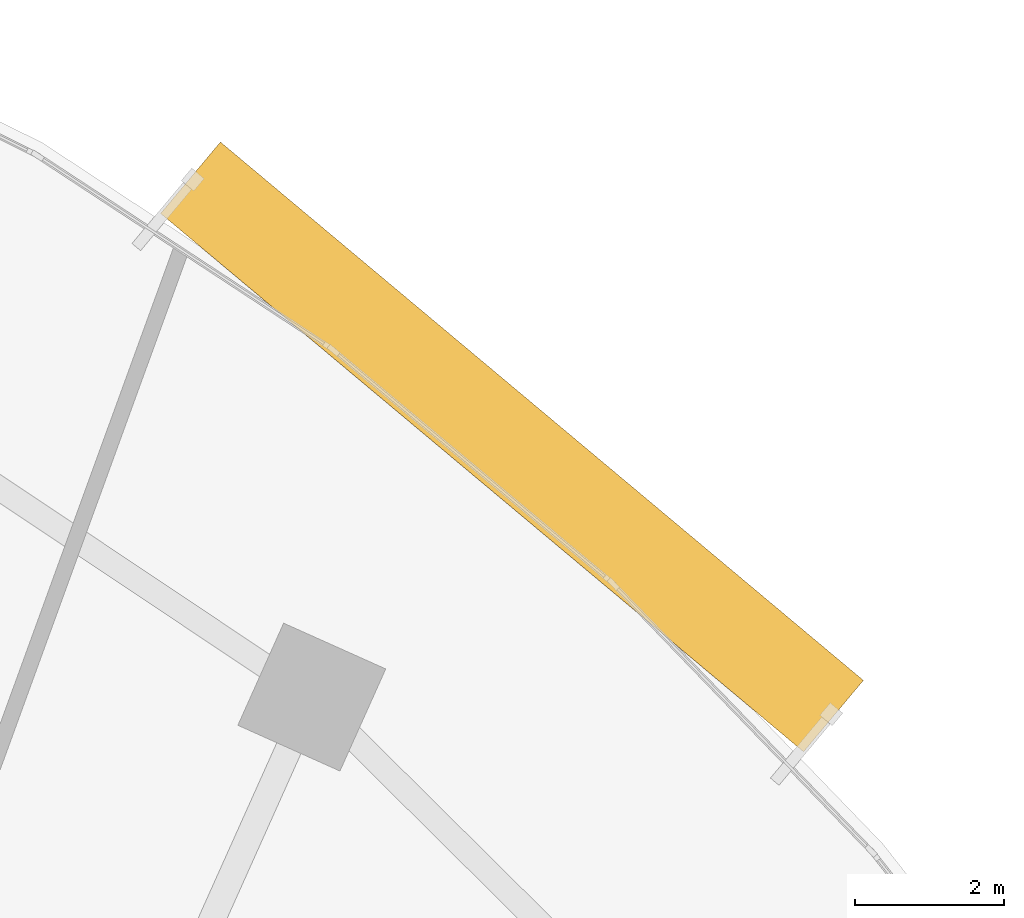
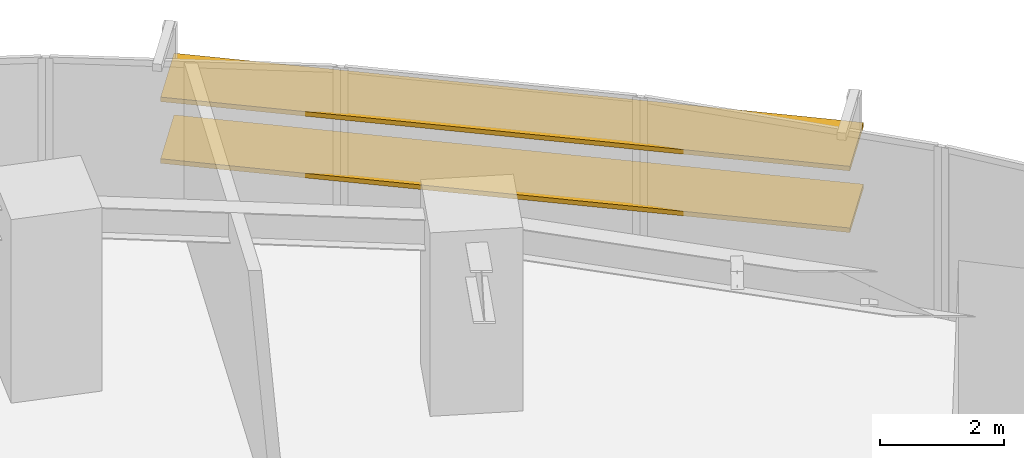
# One storey, part 17 of 17: 2 shading devices.
"""IFC4 building model written with IfcOpenShell, lengths in metres."""

from ifc_helpers import new_model, si_unit, direction, frame, origin, origin_2d, place, context, subcontext, project, spatial, rectangle, extrude, source, transform, mapped, material, material_profile, profile_set, type_object, element, save


model = new_model("IFC4")

# Units and contexts
model_context = context("Model", 3, precision=1e-05, world=origin(), true_north=direction((0.0, 1.0)))
body_context = subcontext(model_context, "Body", "Model", "MODEL_VIEW")
ifc_project = project(units=[si_unit("LENGTHUNIT", "METRE"), si_unit("AREAUNIT", "SQUARE_METRE"), si_unit("VOLUMEUNIT", "CUBIC_METRE"), si_unit("PLANEANGLEUNIT", "RADIAN"), si_unit("MASSUNIT", "GRAM", prefix="KILO")], contexts=[model_context])

# Site, building, storey
site_placement = place(None, origin())
site = spatial("IfcSite", under=ifc_project, at=site_placement, CompositionType="ELEMENT")
building_placement = place(site_placement, origin())
building = spatial("IfcBuilding", under=site, at=building_placement, Name="Breltana Convention Tower", CompositionType="ELEMENT")
storey_placement = place(building_placement, frame((0.0, 0.0, 67.800048828125)))
storey = spatial("IfcBuildingStorey", under=building, at=storey_placement, Name="L15", CompositionType="ELEMENT", Elevation=67.800048828125)

# Shading devices
ifc_material = material(Name="Limestone Warm Buff Honed", Category="masonry")
ifc_material_profile = material_profile(ifc_material, rectangle(XDim=1.25, YDim=0.090087890625, at=origin_2d()), Name="STN-LVR-1250X90")
ifc_profile_set = profile_set([ifc_material_profile], Name="Limestone Warm Buff Honed")
shading_device_type = type_object("IfcShadingDeviceType", Name="SHD-OUTER-SKIN-LIMESTONE-1250", PredefinedType="JALOUSIE", material=ifc_profile_set)
shared_shape = source(origin(), body_context, "Body", "SweptSolid", [
    extrude(rectangle(XDim=1.25, YDim=0.090087890625, at=origin_2d()), origin(), (0.0, 0.0, 1.0), 11.246337890625),
])
for number, where, z_axis, x_axis, name in (
    (1, (67.28369140625, 75.598388671875, 1.20947265625), (0.766719155588, -0.641982660556, 0.0), (0.641982660556, 0.766719155588, 0.0), "L15 outer skin warm limestone louvre 2.1"),
    (2, (67.28369140625, 75.598388671875, 2.419189453125), (0.766719155588, -0.641982660556, 0.0), (0.641982660556, 0.766719155588, 0.0), "L15 outer skin warm limestone louvre 2.2"),
):
    element("IfcShadingDevice", number, at=place(storey_placement, frame(where, z_axis=z_axis, x_axis=x_axis)), inside=storey, type_object=shading_device_type, Name=name, PredefinedType="JALOUSIE", context=body_context, shape_type="MappedRepresentation", body=[
        mapped(shared_shape, transform((0.0, 0.0, 0.0), scale=1.0)),
    ])

save(model, "model.ifc")
